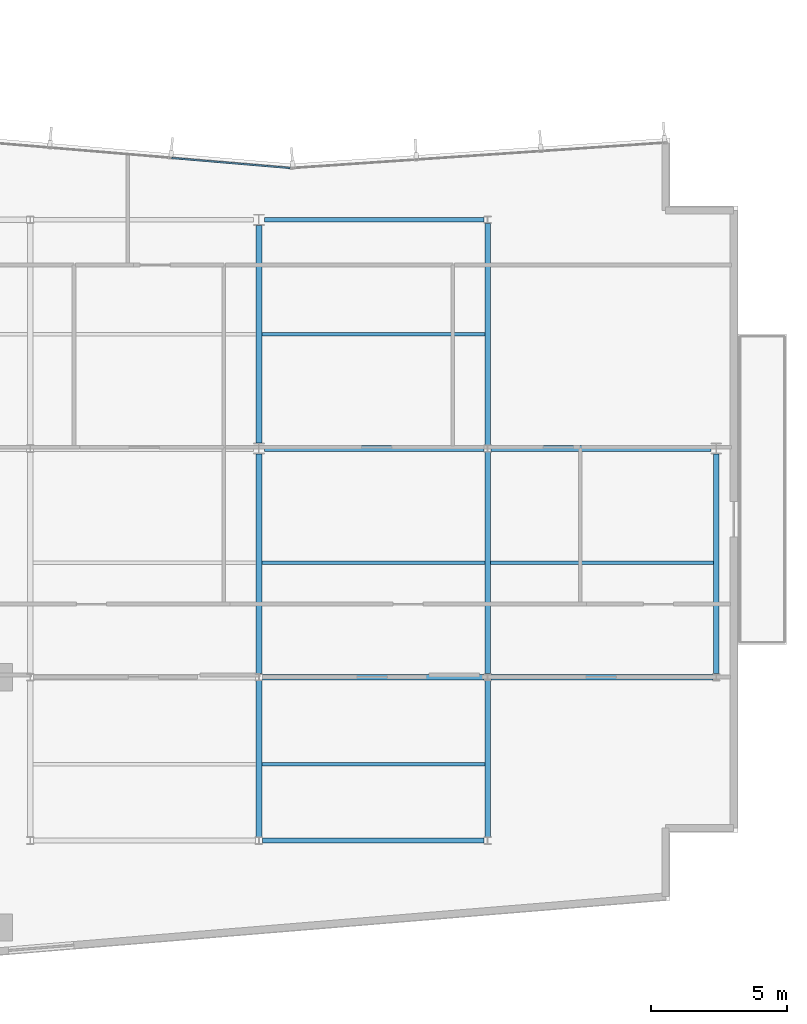
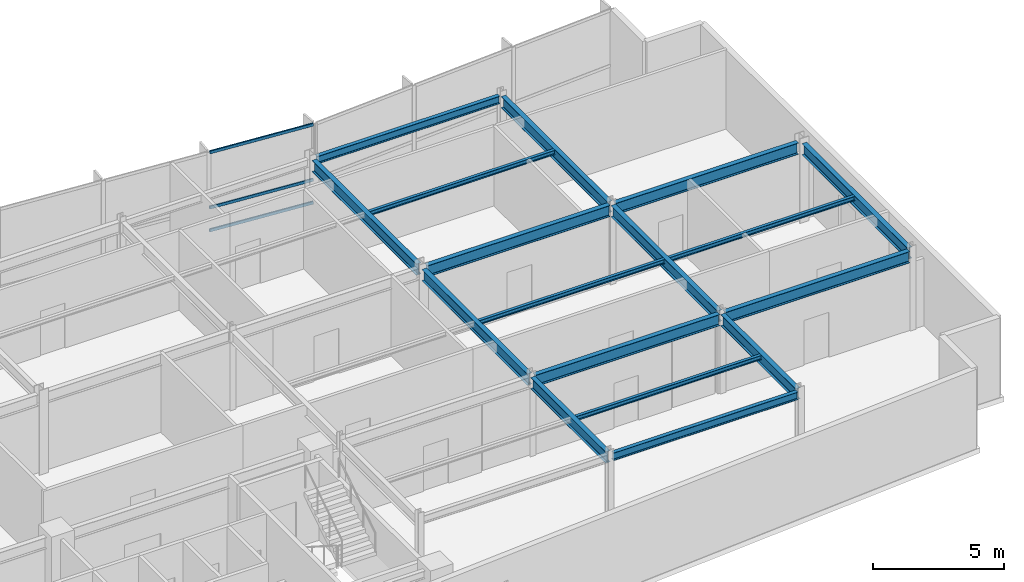
# One storey, part 6 of 14: 17 beams, 3 members, 1 element without a shape of its own.
"""IFC4 building model written with IfcOpenShell, lengths in metres."""

from ifc_helpers import new_model, si_unit, direction, frame, origin, origin_2d, place, context, subcontext, project, spatial, hollow_rectangle, i_section, extrude, material, layer, layer_set, material_profile, profile_set, type_object, element, aggregate, save


model = new_model("IFC4")

# Units and contexts
model_context = context("Model", 3, precision=1e-05, world=origin(), true_north=direction((0.0, 1.0)))
body_context = subcontext(model_context, "Body", "Model", "MODEL_VIEW")
ifc_project = project(units=[si_unit("LENGTHUNIT", "METRE"), si_unit("AREAUNIT", "SQUARE_METRE"), si_unit("VOLUMEUNIT", "CUBIC_METRE"), si_unit("PLANEANGLEUNIT", "RADIAN"), si_unit("MASSUNIT", "GRAM", prefix="KILO")], contexts=[model_context])

# Site, building, storey
site_placement = place(None, origin())
site = spatial("IfcSite", under=ifc_project, at=site_placement, CompositionType="ELEMENT")
building_placement = place(site_placement, origin())
building = spatial("IfcBuilding", under=site, at=building_placement, Name="Varnakote Quay Hospital", CompositionType="ELEMENT")
storey_placement = place(building_placement, frame((0.0, 0.0, 215.800048828125)))
storey = spatial("IfcBuildingStorey", under=building, at=storey_placement, Name="L53", CompositionType="ELEMENT", Elevation=215.800048828125)

# Beams
ifc_material_1 = material(Name="Structural steel AS/NZS 3679.1 Grade 350 L0 (fy 340 MPa)", Category="steel")
ifc_material_profile_1 = material_profile(ifc_material_1, i_section(OverallWidth=0.208984375, OverallDepth=0.528076171875, WebThickness=0.009521484375, FlangeThickness=0.01318359375, FilletRadius=0.013916015625, at=origin_2d()), Name="530UB82.0")
ifc_profile_set_1 = profile_set([ifc_material_profile_1], Name="Structural steel AS/NZS 3679.1 Grade 350 L0 (fy 340 MPa)")
beam_type_1 = type_object("IfcBeamType", Name="BM-STL-530UB82-0", PredefinedType="BEAM", material=ifc_profile_set_1)
beam_1_placement = place(storey_placement, frame((33.60009765625, 6.1298828125, 3.446044921875), z_axis=(0.0, 1.0, 0.0), x_axis=(-1.0, 0.0, 0.0)))
element("IfcBeam", 1, at=beam_1_placement, inside=storey, type_object=beam_type_1, Name="L53 Primary Tie Beam", PredefinedType="BEAM", context=body_context, shape_type="SweptSolid", body=[
    extrude(i_section(OverallWidth=0.208984375, OverallDepth=0.528076171875, WebThickness=0.009521484375, FlangeThickness=0.01318359375, FilletRadius=0.013916015625, at=origin_2d()), origin(), (0.0, 0.0, 1.0), 5.740234375),
])
beam_2_placement = place(storey_placement, frame((33.60009765625, 12.1298828125, 3.446044921875), z_axis=(0.0, 1.0, 0.0), x_axis=(-1.0, 0.0, 0.0)))
element("IfcBeam", 2, at=beam_2_placement, inside=storey, type_object=beam_type_1, Name="L53 Primary Tie Beam", PredefinedType="BEAM", context=body_context, shape_type="SweptSolid", body=[
    extrude(i_section(OverallWidth=0.208984375, OverallDepth=0.528076171875, WebThickness=0.009521484375, FlangeThickness=0.01318359375, FilletRadius=0.013916015625, at=origin_2d()), origin(), (0.0, 0.0, 1.0), 8.068115234375),
])
beam_3_placement = place(storey_placement, frame((33.60009765625, 20.60205078125, 3.446044921875), z_axis=(0.0, 1.0, 0.0), x_axis=(-1.0, 0.0, 0.0)))
element("IfcBeam", 3, at=beam_3_placement, inside=storey, type_object=beam_type_1, Name="L53 Primary Tie Beam", PredefinedType="BEAM", context=body_context, shape_type="SweptSolid", body=[
    extrude(i_section(OverallWidth=0.208984375, OverallDepth=0.528076171875, WebThickness=0.009521484375, FlangeThickness=0.01318359375, FilletRadius=0.013916015625, at=origin_2d()), origin(), (0.0, 0.0, 1.0), 7.995849609375),
])
beam_4_placement = place(storey_placement, frame((42.0, 6.1298828125, 3.446044921875), z_axis=(0.0, 1.0, 0.0), x_axis=(-1.0, 0.0, 0.0)))
element("IfcBeam", 4, at=beam_4_placement, inside=storey, type_object=beam_type_1, Name="L53 Primary Tie Beam", PredefinedType="BEAM", context=body_context, shape_type="SweptSolid", body=[
    extrude(i_section(OverallWidth=0.208984375, OverallDepth=0.528076171875, WebThickness=0.009521484375, FlangeThickness=0.01318359375, FilletRadius=0.013916015625, at=origin_2d()), origin(), (0.0, 0.0, 1.0), 5.740234375),
])
beam_5_placement = place(storey_placement, frame((42.0, 12.1298828125, 3.446044921875), z_axis=(0.0, 1.0, 0.0), x_axis=(-1.0, 0.0, 0.0)))
element("IfcBeam", 5, at=beam_5_placement, inside=storey, type_object=beam_type_1, Name="L53 Primary Tie Beam", PredefinedType="BEAM", context=body_context, shape_type="SweptSolid", body=[
    extrude(i_section(OverallWidth=0.208984375, OverallDepth=0.528076171875, WebThickness=0.009521484375, FlangeThickness=0.01318359375, FilletRadius=0.013916015625, at=origin_2d()), origin(), (0.0, 0.0, 1.0), 8.14013671875),
])
beam_6_placement = place(storey_placement, frame((42.0, 20.530029296875, 3.446044921875), z_axis=(0.0, 1.0, 0.0), x_axis=(-1.0, 0.0, 0.0)))
element("IfcBeam", 6, at=beam_6_placement, inside=storey, type_object=beam_type_1, Name="L53 Primary Tie Beam", PredefinedType="BEAM", context=body_context, shape_type="SweptSolid", body=[
    extrude(i_section(OverallWidth=0.208984375, OverallDepth=0.528076171875, WebThickness=0.009521484375, FlangeThickness=0.01318359375, FilletRadius=0.013916015625, at=origin_2d()), origin(), (0.0, 0.0, 1.0), 8.139892578125),
])
beam_7_placement = place(storey_placement, frame((50.39990234375, 12.1298828125, 3.446044921875), z_axis=(0.0, 1.0, 0.0), x_axis=(-1.0, 0.0, 0.0)))
element("IfcBeam", 7, at=beam_7_placement, inside=storey, type_object=beam_type_1, Name="L53 Primary Tie Beam", PredefinedType="BEAM", context=body_context, shape_type="SweptSolid", body=[
    extrude(i_section(OverallWidth=0.208984375, OverallDepth=0.528076171875, WebThickness=0.009521484375, FlangeThickness=0.01318359375, FilletRadius=0.013916015625, at=origin_2d()), origin(), (0.0, 0.0, 1.0), 8.068115234375),
])
ifc_material_2 = material(Name="Structural steel AS/NZS 3679.1 Grade 350 L0 (fy 340 MPa)", Category="steel")
ifc_material_profile_2 = material_profile(ifc_material_2, i_section(OverallWidth=0.208984375, OverallDepth=0.532958984375, WebThickness=0.01025390625, FlangeThickness=0.015625, FilletRadius=0.013916015625, at=origin_2d()), Name="530UB92.4")
ifc_profile_set_2 = profile_set([ifc_material_profile_2], Name="Structural steel AS/NZS 3679.1 Grade 350 L0 (fy 340 MPa)")
beam_type_2 = type_object("IfcBeamType", Name="BM-STL-530UB92-4", PredefinedType="BEAM", material=ifc_profile_set_2)
for number, where, z_axis, x_axis, name in (
    (8, (33.72802734375, 12.0, 3.443359375), (1.0, 0.0, 0.0), (0.0, 1.0, 0.0), "L53 Primary Floor Beam"),
    (9, (42.1279296875, 12.0, 3.443359375), (1.0, 0.0, 0.0), (0.0, 1.0, 0.0), "L53 Primary Floor Beam"),
):
    element("IfcBeam", number, at=place(storey_placement, frame(where, z_axis=z_axis, x_axis=x_axis)), inside=storey, type_object=beam_type_2, Name=name, PredefinedType="BEAM", context=body_context, shape_type="SweptSolid", body=[
        extrude(i_section(OverallWidth=0.208984375, OverallDepth=0.532958984375, WebThickness=0.01025390625, FlangeThickness=0.015625, FilletRadius=0.013916015625, at=origin_2d()), origin(), (0.0, 0.0, 1.0), 8.14404296875),
    ])
for number, where, z_axis, x_axis, name in (
    (10, (33.800048828125, 20.39990234375, 3.443359375), (1.0, 0.0, 0.0), (0.0, 1.0, 0.0), "L53 Primary Floor Beam"),
    (11, (42.1279296875, 20.39990234375, 3.443359375), (1.0, 0.0, 0.0), (0.0, 1.0, 0.0), "L53 Primary Floor Beam"),
):
    element("IfcBeam", number, at=place(storey_placement, frame(where, z_axis=z_axis, x_axis=x_axis)), inside=storey, type_object=beam_type_2, Name=name, PredefinedType="BEAM", context=body_context, shape_type="SweptSolid", body=[
        extrude(i_section(OverallWidth=0.208984375, OverallDepth=0.532958984375, WebThickness=0.01025390625, FlangeThickness=0.015625, FilletRadius=0.013916015625, at=origin_2d()), origin(), (0.0, 0.0, 1.0), 8.072021484375),
    ])

# Curtain wall, members
ifc_material_3 = material(Name="Anodised aluminium 6063-T6 Bronze", Category="aluminium")
ifc_layer = layer(ifc_material_3, 0.219970703125)
ifc_layer_set = layer_set([ifc_layer], Name="Anodised aluminium 6063-T6 Bronze")
curtain_wall_type = type_object("IfcCurtainWallType", Name="CW-SYS-4", PredefinedType="NOTDEFINED", material=ifc_layer_set)
curtain_wall_placement = place(storey_placement, origin())
curtain_wall = element("IfcCurtainWall", 12, at=curtain_wall_placement, inside=storey, type_object=curtain_wall_type, Name="L53 Unitised Bronze Curtain Wall 2", PredefinedType="NOTDEFINED")
ifc_material_4 = material(Name="Anodised aluminium 6063-T6 Bronze", Category="aluminium")
ifc_material_profile_3 = material_profile(ifc_material_4, hollow_rectangle(XDim=0.06494140625, YDim=0.139892578125, WallThickness=0.00390625, InnerFilletRadius=0.00390625, OuterFilletRadius=0.007568359375, at=origin_2d()), Name="CW-TRAN-140x65")
ifc_profile_set_3 = profile_set([ifc_material_profile_3], Name="Anodised aluminium 6063-T6 Bronze")
member_type = type_object("IfcMemberType", Name="CW-TRAN-140x65", PredefinedType="USERDEFINED", material=ifc_profile_set_3)
member_1_placement = place(storey_placement, frame((34.75, 30.700927734375, 0.032470703125), z_axis=(-0.996453440464, 0.084145950507, 0.0), x_axis=(-0.084145950507, -0.996453440464, 0.0)))
member_1 = element("IfcMember", 13, at=member_1_placement, type_object=member_type, Name="-4-L53-2 transom 1.1", ObjectType="TRANSOM", PredefinedType="USERDEFINED", context=body_context, shape_type="SweptSolid", body=[
    extrude(hollow_rectangle(XDim=0.06494140625, YDim=0.139892578125, WallThickness=0.00390625, InnerFilletRadius=0.00390625, OuterFilletRadius=0.007568359375, at=origin_2d()), origin(), (0.0, 0.0, 1.0), 4.369384765625),
])
member_2_placement = place(storey_placement, frame((34.75, 30.700927734375, 1.099853515625), z_axis=(-0.996453440464, 0.084145950507, 0.0), x_axis=(-0.084145950507, -0.996453440464, 0.0)))
member_2 = element("IfcMember", 14, at=member_2_placement, type_object=member_type, Name="-4-L53-2 transom 1.2", ObjectType="TRANSOM", PredefinedType="USERDEFINED", context=body_context, shape_type="SweptSolid", body=[
    extrude(hollow_rectangle(XDim=0.06494140625, YDim=0.139892578125, WallThickness=0.00390625, InnerFilletRadius=0.00390625, OuterFilletRadius=0.007568359375, at=origin_2d()), origin(), (0.0, 0.0, 1.0), 4.369384765625),
])
member_3_placement = place(storey_placement, frame((34.75, 30.700927734375, 3.677490234375), z_axis=(-0.996453440464, 0.084145950507, 0.0), x_axis=(-0.084145950507, -0.996453440464, 0.0)))
member_3 = element("IfcMember", 15, at=member_3_placement, type_object=member_type, Name="-4-L53-2 transom 1.3", ObjectType="TRANSOM", PredefinedType="USERDEFINED", context=body_context, shape_type="SweptSolid", body=[
    extrude(hollow_rectangle(XDim=0.06494140625, YDim=0.139892578125, WallThickness=0.00390625, InnerFilletRadius=0.00390625, OuterFilletRadius=0.007568359375, at=origin_2d()), origin(), (0.0, 0.0, 1.0), 4.369384765625),
])
aggregate(curtain_wall, [member_1, member_2, member_3])

# Beams
ifc_material_5 = material(Name="Structural steel AS/NZS 3679.1 Grade 350 L0 (fy 340 MPa)", Category="steel")
ifc_material_profile_4 = material_profile(ifc_material_5, i_section(OverallWidth=0.134033203125, OverallDepth=0.20703125, WebThickness=0.00634765625, FlangeThickness=0.009521484375, FilletRadius=0.0087890625, at=origin_2d()), Name="200UB29.8")
ifc_profile_set_4 = profile_set([ifc_material_profile_4], Name="Structural steel AS/NZS 3679.1 Grade 350 L0 (fy 340 MPa)")
beam_type_3 = type_object("IfcBeamType", Name="JST-STL-200UB29-8", PredefinedType="JOIST", material=ifc_profile_set_4)
for number, where, z_axis, x_axis, name in (
    (16, (33.70458984375, 8.800048828125, 3.6064453125), (1.0, 0.0, 0.0), (0.0, 1.0, 0.0), "L53 Composite Floor Joist"),
    (17, (33.70458984375, 16.199951171875, 3.6064453125), (1.0, 0.0, 0.0), (0.0, 1.0, 0.0), "L53 Composite Floor Joist"),
    (18, (42.1044921875, 16.199951171875, 3.6064453125), (1.0, 0.0, 0.0), (0.0, 1.0, 0.0), "L53 Composite Floor Joist"),
    (19, (33.70458984375, 24.60009765625, 3.6064453125), (1.0, 0.0, 0.0), (0.0, 1.0, 0.0), "L53 Composite Floor Joist"),
):
    element("IfcBeam", number, at=place(storey_placement, frame(where, z_axis=z_axis, x_axis=x_axis)), inside=storey, type_object=beam_type_3, Name=name, PredefinedType="JOIST", context=body_context, shape_type="SweptSolid", body=[
        extrude(i_section(OverallWidth=0.134033203125, OverallDepth=0.20703125, WebThickness=0.00634765625, FlangeThickness=0.009521484375, FilletRadius=0.0087890625, at=origin_2d()), origin(), (0.0, 0.0, 1.0), 8.19091796875),
    ])
ifc_material_6 = material(Name="Structural steel AS/NZS 3679.1 Grade 350 L0 (fy 340 MPa)", Category="steel")
ifc_material_profile_5 = material_profile(ifc_material_6, i_section(OverallWidth=0.172119140625, OverallDepth=0.35888671875, WebThickness=0.008056640625, FlangeThickness=0.012939453125, FilletRadius=0.011474609375, at=origin_2d()), Name="360UB56.7")
ifc_profile_set_5 = profile_set([ifc_material_profile_5], Name="Structural steel AS/NZS 3679.1 Grade 350 L0 (fy 340 MPa)")
beam_type_4 = type_object("IfcBeamType", Name="SPN-STL-360UB56-7", PredefinedType="SPANDREL", material=ifc_profile_set_5)
beam_8_placement = place(storey_placement, frame((33.72802734375, 6.0, 3.530517578125), z_axis=(1.0, 0.0, 0.0), x_axis=(0.0, 1.0, 0.0)))
element("IfcBeam", 20, at=beam_8_placement, inside=storey, type_object=beam_type_4, Name="L53 Perimeter Spandrel Beam", PredefinedType="SPANDREL", context=body_context, shape_type="SweptSolid", body=[
    extrude(i_section(OverallWidth=0.172119140625, OverallDepth=0.35888671875, WebThickness=0.008056640625, FlangeThickness=0.012939453125, FilletRadius=0.011474609375, at=origin_2d()), origin(), (0.0, 0.0, 1.0), 8.14404296875),
])
beam_9_placement = place(storey_placement, frame((33.800048828125, 28.800048828125, 3.530517578125), z_axis=(1.0, 0.0, 0.0), x_axis=(0.0, 1.0, 0.0)))
element("IfcBeam", 21, at=beam_9_placement, inside=storey, type_object=beam_type_4, Name="L53 Perimeter Spandrel Beam", PredefinedType="SPANDREL", context=body_context, shape_type="SweptSolid", body=[
    extrude(i_section(OverallWidth=0.172119140625, OverallDepth=0.35888671875, WebThickness=0.008056640625, FlangeThickness=0.012939453125, FilletRadius=0.011474609375, at=origin_2d()), origin(), (0.0, 0.0, 1.0), 8.072021484375),
])

save(model, "model.ifc")
